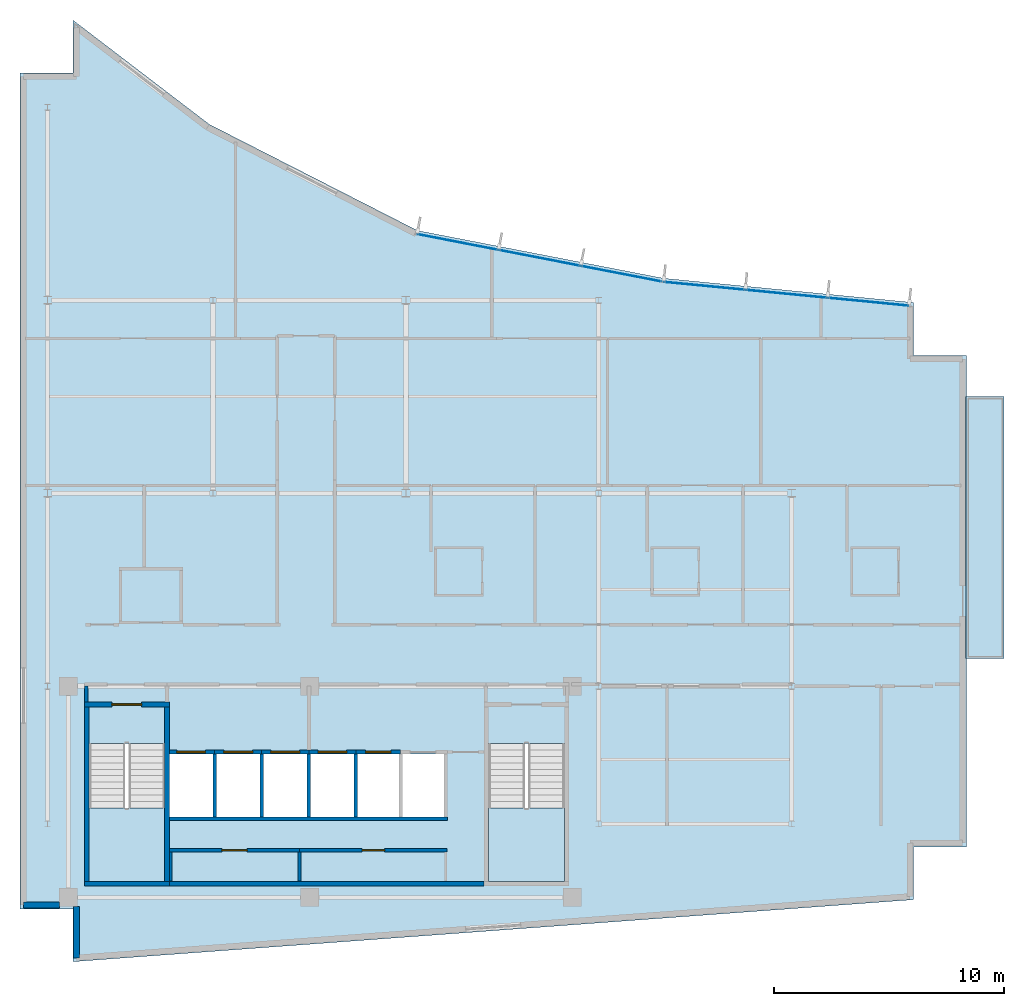
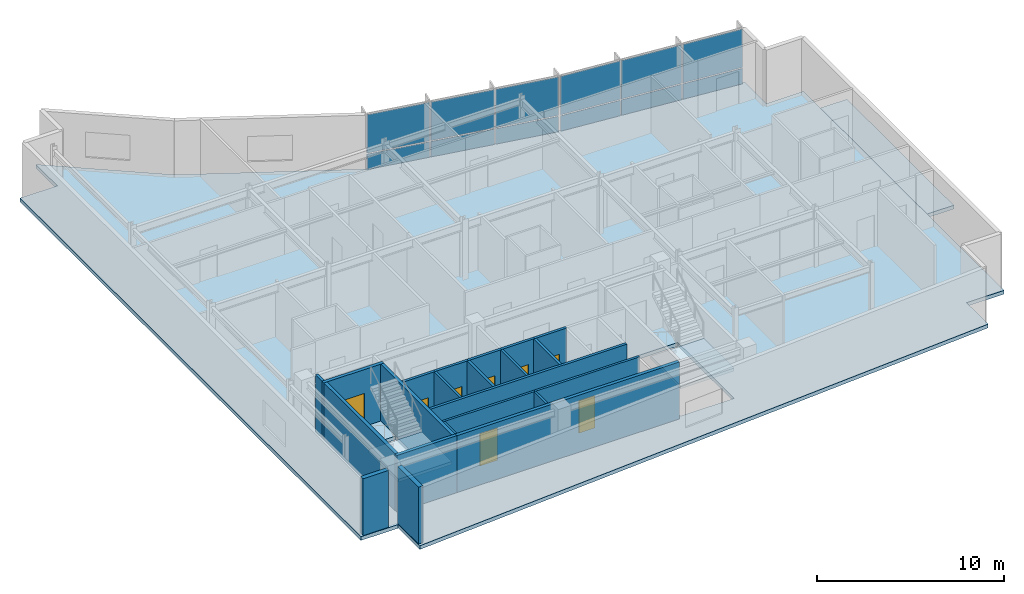
# One storey, part 9 of 15: 22 walls, 12 plates, 8 doors, 4 slabs, 8 openings, 4 elements without a shape of their own.
"""IFC4 building model written with IfcOpenShell, lengths in metres."""

from ifc_helpers import new_model, si_unit, direction, frame, frame_2d, origin, origin_2d, place, context, subcontext, project, spatial, polyline, rectangle, outline, extrude, material, layer, layer_set, type_object, element, fill, aggregate, save


model = new_model("IFC4")

# Units and contexts
model_context = context("Model", 3, precision=1e-05, world=origin(), true_north=direction((0.0, 1.0)))
body_context = subcontext(model_context, "Body", "Model", "MODEL_VIEW")
ifc_project = project(units=[si_unit("LENGTHUNIT", "METRE"), si_unit("AREAUNIT", "SQUARE_METRE"), si_unit("VOLUMEUNIT", "CUBIC_METRE"), si_unit("PLANEANGLEUNIT", "RADIAN"), si_unit("MASSUNIT", "GRAM", prefix="KILO")], contexts=[model_context])

# Site, building, storey
site_placement = place(None, origin())
site = spatial("IfcSite", under=ifc_project, at=site_placement, CompositionType="ELEMENT")
building_placement = place(site_placement, origin())
building = spatial("IfcBuilding", under=site, at=building_placement, Name="Varnakote Quay Hospital", CompositionType="ELEMENT")
storey_placement = place(building_placement, frame((0.0, 0.0, 276.300048828125)))
storey = spatial("IfcBuildingStorey", under=building, at=storey_placement, Name="L68", CompositionType="ELEMENT", Elevation=276.300048828125)

# Curtain wall, plates
ifc_material_1 = material(Name="Anodised aluminium 6063-T6 Bronze", Category="aluminium")
ifc_layer_1 = layer(ifc_material_1, 0.235107421875)
ifc_layer_set_1 = layer_set([ifc_layer_1], Name="Anodised aluminium 6063-T6 Bronze")
curtain_wall_type = type_object("IfcCurtainWallType", Name="CW-SYS-5", PredefinedType="NOTDEFINED", material=ifc_layer_set_1)
curtain_wall_1_placement = place(storey_placement, origin())
curtain_wall_1 = element("IfcCurtainWall", 1, at=curtain_wall_1_placement, inside=storey, type_object=curtain_wall_type, Name="L68 Unitised Bronze Curtain Wall 1", PredefinedType="NOTDEFINED")
ifc_material_2 = material(Name="Double-glazed low-E solar glass", Category="glass")
ifc_layer_2 = layer(ifc_material_2, 0.028076171875)
ifc_layer_set_2 = layer_set([ifc_layer_2], Name="Double-glazed low-E solar glass")
plate_type = type_object("IfcPlateType", Name="CW-PNL-GLZ-28", PredefinedType="CURTAIN_PANEL", material=ifc_layer_set_2)
plate_1_placement = place(storey_placement, frame((36.9326171875, 28.730224609375, 0.06494140625), z_axis=(0.0, 0.0, 1.0), x_axis=(-0.995326295192, 0.096568970683, 0.0)))
plate_1 = element("IfcPlate", 2, at=plate_1_placement, type_object=plate_type, Name="-5-L68-1 panel 1.1", PredefinedType="CURTAIN_PANEL", context=body_context, shape_type="SweptSolid", body=[
    extrude(rectangle(XDim=3.501708984375, YDim=0.028076171875, at=origin_2d()), origin(), (0.0, 0.0, 1.0), 1.00244140625),
])
plate_2_placement = place(storey_placement, frame((36.9326171875, 28.730224609375, 1.13232421875), z_axis=(0.0, 0.0, 1.0), x_axis=(-0.995326295192, 0.096568970683, 0.0)))
plate_2 = element("IfcPlate", 3, at=plate_2_placement, type_object=plate_type, Name="-5-L68-1 panel 1.2", PredefinedType="CURTAIN_PANEL", context=body_context, shape_type="SweptSolid", body=[
    extrude(rectangle(XDim=3.501708984375, YDim=0.028076171875, at=origin_2d()), origin(), (0.0, 0.0, 1.0), 2.512451171875),
])
plate_3_placement = place(storey_placement, frame((33.366455078125, 29.076171875, 0.06494140625), z_axis=(0.0, 0.0, 1.0), x_axis=(-0.995326295192, 0.096568970683, 0.0)))
plate_3 = element("IfcPlate", 4, at=plate_3_placement, type_object=plate_type, Name="-5-L68-1 panel 2.1", PredefinedType="CURTAIN_PANEL", context=body_context, shape_type="SweptSolid", body=[
    extrude(rectangle(XDim=3.5341796875, YDim=0.028076171875, at=origin_2d()), origin(), (0.0, 0.0, 1.0), 1.00244140625),
])
plate_4_placement = place(storey_placement, frame((33.366455078125, 29.076171875, 1.13232421875), z_axis=(0.0, 0.0, 1.0), x_axis=(-0.995326295192, 0.096568970683, 0.0)))
plate_4 = element("IfcPlate", 5, at=plate_4_placement, type_object=plate_type, Name="-5-L68-1 panel 2.2", PredefinedType="CURTAIN_PANEL", context=body_context, shape_type="SweptSolid", body=[
    extrude(rectangle(XDim=3.5341796875, YDim=0.028076171875, at=origin_2d()), origin(), (0.0, 0.0, 1.0), 2.512451171875),
])
plate_5_placement = place(storey_placement, frame((29.80029296875, 29.422119140625, 0.06494140625), z_axis=(0.0, 0.0, 1.0), x_axis=(-0.995326295192, 0.096568970683, 0.0)))
plate_5 = element("IfcPlate", 6, at=plate_5_placement, type_object=plate_type, Name="-5-L68-1 panel 3.1", PredefinedType="CURTAIN_PANEL", context=body_context, shape_type="SweptSolid", body=[
    extrude(rectangle(XDim=3.501708984375, YDim=0.028076171875, at=origin_2d()), origin(), (0.0, 0.0, 1.0), 1.00244140625),
])
plate_6_placement = place(storey_placement, frame((29.80029296875, 29.422119140625, 1.13232421875), z_axis=(0.0, 0.0, 1.0), x_axis=(-0.995326295192, 0.096568970683, 0.0)))
plate_6 = element("IfcPlate", 7, at=plate_6_placement, type_object=plate_type, Name="-5-L68-1 panel 3.2", PredefinedType="CURTAIN_PANEL", context=body_context, shape_type="SweptSolid", body=[
    extrude(rectangle(XDim=3.501708984375, YDim=0.028076171875, at=origin_2d()), origin(), (0.0, 0.0, 1.0), 2.512451171875),
])
aggregate(curtain_wall_1, [plate_1, plate_2, plate_3, plate_4, plate_5, plate_6])

curtain_wall_2_placement = place(storey_placement, origin())
curtain_wall_2 = element("IfcCurtainWall", 8, at=curtain_wall_2_placement, inside=storey, type_object=curtain_wall_type, Name="L68 Unitised Bronze Curtain Wall 2", PredefinedType="NOTDEFINED")
plate_7_placement = place(storey_placement, frame((26.186767578125, 29.947998046875, 0.06494140625), z_axis=(0.0, 0.0, 1.0), x_axis=(-0.981699958418, 0.190434218676, 0.0)))
plate_7 = element("IfcPlate", 9, at=plate_7_placement, type_object=plate_type, Name="-5-L68-2 panel 1.1", PredefinedType="CURTAIN_PANEL", context=body_context, shape_type="SweptSolid", body=[
    extrude(rectangle(XDim=3.5498046875, YDim=0.028076171875, at=origin_2d()), origin(), (0.0, 0.0, 1.0), 1.00244140625),
])
plate_8_placement = place(storey_placement, frame((26.186767578125, 29.947998046875, 1.13232421875), z_axis=(0.0, 0.0, 1.0), x_axis=(-0.981699958418, 0.190434218676, 0.0)))
plate_8 = element("IfcPlate", 10, at=plate_8_placement, type_object=plate_type, Name="-5-L68-2 panel 1.2", PredefinedType="CURTAIN_PANEL", context=body_context, shape_type="SweptSolid", body=[
    extrude(rectangle(XDim=3.5498046875, YDim=0.028076171875, at=origin_2d()), origin(), (0.0, 0.0, 1.0), 2.512451171875),
])
plate_9_placement = place(storey_placement, frame((22.622314453125, 30.639404296875, 0.06494140625), z_axis=(0.0, 0.0, 1.0), x_axis=(-0.981699958418, 0.190434218676, 0.0)))
plate_9 = element("IfcPlate", 11, at=plate_9_placement, type_object=plate_type, Name="-5-L68-2 panel 2.1", PredefinedType="CURTAIN_PANEL", context=body_context, shape_type="SweptSolid", body=[
    extrude(rectangle(XDim=3.582275390625, YDim=0.028076171875, at=origin_2d()), origin(), (0.0, 0.0, 1.0), 1.00244140625),
])
plate_10_placement = place(storey_placement, frame((22.622314453125, 30.639404296875, 1.13232421875), z_axis=(0.0, 0.0, 1.0), x_axis=(-0.981699958418, 0.190434218676, 0.0)))
plate_10 = element("IfcPlate", 12, at=plate_10_placement, type_object=plate_type, Name="-5-L68-2 panel 2.2", PredefinedType="CURTAIN_PANEL", context=body_context, shape_type="SweptSolid", body=[
    extrude(rectangle(XDim=3.582275390625, YDim=0.028076171875, at=origin_2d()), origin(), (0.0, 0.0, 1.0), 2.512451171875),
])
plate_11_placement = place(storey_placement, frame((19.0576171875, 31.330810546875, 0.06494140625), z_axis=(0.0, 0.0, 1.0), x_axis=(-0.981699958418, 0.190434218676, 0.0)))
plate_11 = element("IfcPlate", 13, at=plate_11_placement, type_object=plate_type, Name="-5-L68-2 panel 3.1", PredefinedType="CURTAIN_PANEL", context=body_context, shape_type="SweptSolid", body=[
    extrude(rectangle(XDim=3.5498046875, YDim=0.028076171875, at=origin_2d()), origin(), (0.0, 0.0, 1.0), 1.00244140625),
])
plate_12_placement = place(storey_placement, frame((19.0576171875, 31.330810546875, 1.13232421875), z_axis=(0.0, 0.0, 1.0), x_axis=(-0.981699958418, 0.190434218676, 0.0)))
plate_12 = element("IfcPlate", 14, at=plate_12_placement, type_object=plate_type, Name="-5-L68-2 panel 3.2", PredefinedType="CURTAIN_PANEL", context=body_context, shape_type="SweptSolid", body=[
    extrude(rectangle(XDim=3.5498046875, YDim=0.028076171875, at=origin_2d()), origin(), (0.0, 0.0, 1.0), 2.512451171875),
])
aggregate(curtain_wall_2, [plate_7, plate_8, plate_9, plate_10, plate_11, plate_12])

# Stair, slab
ifc_material_3 = material(Name="Concrete N40 (f'c 40 MPa)", Category="concrete")
stair_type = type_object("IfcStairType", Name="STR-CORE-1580", PredefinedType="HALF_TURN_STAIR", material=ifc_material_3)
stair_1_placement = place(storey_placement, origin())
stair_1 = element("IfcStair", 15, at=stair_1_placement, inside=storey, type_object=stair_type, Name="L68 Fire-Isolated Exit Stair ST-01", PredefinedType="HALF_TURN_STAIR")
ifc_material_4 = material(Name="Concrete N40 (f'c 40 MPa)", Category="concrete")
ifc_layer_3 = layer(ifc_material_4, 0.199951171875)
ifc_layer_set_3 = layer_set([ifc_layer_3], Name="Concrete N40 (f'c 40 MPa)")
slab_type_1 = type_object("IfcSlabType", Name="SLB-STAIR-LND-200", PredefinedType="LANDING", material=ifc_layer_set_3)
slab_1_placement = place(storey_placement, frame((0.0, 0.0, 1.77490234375)))
slab_1 = element("IfcSlab", 16, at=slab_1_placement, type_object=slab_type_1, Name="ST-01 landing 1", PredefinedType="LANDING", context=body_context, shape_type="SweptSolid", body=[
    extrude(outline(polyline([(3.0, 6.699951171875), (3.0, 3.5), (6.300048828125, 3.5), (6.300048828125, 6.699951171875), (3.0, 6.699951171875)])), origin(), (0.0, 0.0, 1.0), 0.199951171875),
])
aggregate(stair_1, [slab_1])

stair_2_placement = place(storey_placement, origin())
stair_2 = element("IfcStair", 17, at=stair_2_placement, inside=storey, type_object=stair_type, Name="L68 Fire-Isolated Exit Stair ST-02", PredefinedType="HALF_TURN_STAIR")
slab_2_placement = place(storey_placement, frame((0.0, 0.0, 1.77490234375)))
slab_2 = element("IfcSlab", 18, at=slab_2_placement, type_object=slab_type_1, Name="ST-02 landing 1", PredefinedType="LANDING", context=body_context, shape_type="SweptSolid", body=[
    extrude(outline(polyline([(20.39990234375, 6.699951171875), (20.39990234375, 3.5), (23.699951171875, 3.5), (23.699951171875, 6.699951171875), (20.39990234375, 6.699951171875)])), origin(), (0.0, 0.0, 1.0), 0.199951171875),
])
aggregate(stair_2, [slab_2])

# Slabs
ifc_material_5 = material(Name="Concrete N50 (f'c 50 MPa)", Category="concrete")
ifc_layer_4 = layer(ifc_material_5, 0.239990234375)
ifc_layer_set_4 = layer_set([ifc_layer_4], Name="Concrete N50 (f'c 50 MPa)")
slab_type_2 = type_object("IfcSlabType", Name="SLB-TERR-200", PredefinedType="FLOOR", material=ifc_layer_set_4)
slab_3_placement = place(storey_placement, frame((0.0, 0.0, -0.239990234375)))
element("IfcSlab", 19, at=slab_3_placement, inside=storey, type_object=slab_type_2, Name="L68 Waterfront Healing Terrace Slab", PredefinedType="FLOOR", context=body_context, shape_type="SweptSolid", body=[
    extrude(outline(polyline([(41.196044921875, 24.60009765625), (41.196044921875, 13.199951171875), (42.840087890625, 13.199951171875), (42.840087890625, 24.60009765625), (41.196044921875, 24.60009765625)])), origin(), (0.0, 0.0, 1.0), 0.239990234375),
])
ifc_material_6 = material(Name="Concrete N50 (f'c 50 MPa)", Category="concrete")
ifc_layer_5 = layer(ifc_material_6, 0.239990234375)
ifc_layer_set_5 = layer_set([ifc_layer_5], Name="Concrete N50 (f'c 50 MPa)")
slab_type_3 = type_object("IfcSlabType", Name="SLB-WARD-200", PredefinedType="FLOOR", material=ifc_layer_set_5)
slab_4_placement = place(storey_placement, frame((0.0, 0.0, -0.239990234375)))
element("IfcSlab", 20, at=slab_4_placement, inside=storey, type_object=slab_type_3, Name="L68 Primary Floor Slab", PredefinedType="FLOOR", context=body_context, shape_type="SweptSolid", body=[
    extrude(outline(polyline([(0.0, 2.300048828125), (2.300048828125, 2.300048828125), (2.300048828125, 0.0), (38.89990234375, 2.699951171875), (38.89990234375, 5.0), (41.199951171875, 5.0), (41.199951171875, 26.39990234375), (38.89990234375, 26.39990234375), (38.89990234375, 28.699951171875), (28.01611328125, 29.756103515625), (17.303955078125, 31.833984375), (8.239990234375, 36.4599609375), (2.300048828125, 41.0), (2.300048828125, 38.699951171875), (0.0, 38.699951171875), (0.0, 2.300048828125)]), holes=[polyline([(3.0, 3.5), (6.300048828125, 3.5), (6.300048828125, 9.49951171875), (3.0, 9.49951171875), (3.0, 3.5)]), polyline([(20.39990234375, 3.5), (23.699951171875, 3.5), (23.699951171875, 9.49951171875), (20.39990234375, 9.49951171875), (20.39990234375, 3.5)]), polyline([(6.5, 6.300048828125), (8.39990234375, 6.300048828125), (8.39990234375, 9.050048828125), (6.5, 9.050048828125), (6.5, 6.300048828125)]), polyline([(8.550048828125, 6.300048828125), (10.449951171875, 6.300048828125), (10.449951171875, 9.050048828125), (8.550048828125, 9.050048828125), (8.550048828125, 6.300048828125)]), polyline([(10.60009765625, 6.300048828125), (12.5, 6.300048828125), (12.5, 9.050048828125), (10.60009765625, 9.050048828125), (10.60009765625, 6.300048828125)]), polyline([(12.64990234375, 6.300048828125), (14.550048828125, 6.300048828125), (14.550048828125, 9.050048828125), (12.64990234375, 9.050048828125), (12.64990234375, 6.300048828125)]), polyline([(14.699951171875, 6.300048828125), (16.5, 6.300048828125), (16.5, 9.050048828125), (14.699951171875, 9.050048828125), (14.699951171875, 6.300048828125)]), polyline([(16.64990234375, 6.300048828125), (18.449951171875, 6.300048828125), (18.449951171875, 9.050048828125), (16.64990234375, 9.050048828125), (16.64990234375, 6.300048828125)])]), origin(), (0.0, 0.0, 1.0), 0.239990234375),
])

# Walls
ifc_material_7 = material(Name="Fire-rated acoustic gypsum stud wall", Category="gypsum")
ifc_layer_6 = layer(ifc_material_7, 0.159912109375)
ifc_layer_set_6 = layer_set([ifc_layer_6], Name="Fire-rated acoustic gypsum stud wall")
wall_type_1 = type_object("IfcWallType", Name="WL-COMP-160", PredefinedType="PARTITIONING", material=ifc_layer_set_6)
wall_1_placement = place(storey_placement, frame((2.8798828125, 11.300048828125, 0.0), z_axis=(0.0, 0.0, 1.0), x_axis=(0.0, 1.0, 0.0)))
element("IfcWall", 21, at=wall_1_placement, inside=storey, type_object=wall_type_1, Name="L68 West Stair Vestibule West Wall", PredefinedType="PARTITIONING", context=body_context, shape_type="SweptSolid", body=[
    extrude(rectangle(XDim=0.699951171875, YDim=0.159912109375, at=frame_2d((0.35009765625, 0.0))), origin(), (0.0, 0.0, 1.0), 3.7099609375),
])
ifc_material_8 = material(Name="Concrete N50 (f'c 50 MPa)", Category="concrete")
ifc_layer_7 = layer(ifc_material_8, 0.199951171875)
ifc_layer_set_7 = layer_set([ifc_layer_7], Name="Concrete N50 (f'c 50 MPa)")
wall_type_2 = type_object("IfcWallType", Name="WL-CORE-N50-200", PredefinedType="SHEAR", material=ifc_layer_set_7)
wall_2_placement = place(storey_placement, frame((6.5, 3.39990234375, 0.0), z_axis=(0.0, 0.0, 1.0), x_axis=(1.0, 0.0, 0.0)))
element("IfcWall", 22, at=wall_2_placement, inside=storey, type_object=wall_type_2, Name="L68 Rear Core South Shear Wall", PredefinedType="SHEAR", context=body_context, shape_type="SweptSolid", body=[
    extrude(rectangle(XDim=13.699951171875, YDim=0.199951171875, at=frame_2d((6.85009765625, 0.0))), origin(), (0.0, 0.0, 1.0), 3.7099609375),
])
ifc_material_9 = material(Name="Precast concrete N50 (f'c 50 MPa)", Category="concrete")
ifc_layer_8 = layer(ifc_material_9, 0.260009765625)
ifc_layer_set_8 = layer_set([ifc_layer_8], Name="Precast concrete N50 (f'c 50 MPa)")
wall_type_3 = type_object("IfcWallType", Name="WL-EXT-BRICK-260", PredefinedType="STANDARD", material=ifc_layer_set_8)
wall_3_placement = place(storey_placement, frame((2.4599609375, 2.4150390625, 0.0), z_axis=(0.0, 0.0, 1.0), x_axis=(0.0, -1.0, 0.0)))
element("IfcWall", 23, at=wall_3_placement, inside=storey, type_object=wall_type_3, Name="L68 Brick-Faced Precast Exterior Wall", PredefinedType="STANDARD", context=body_context, shape_type="SweptSolid", body=[
    extrude(rectangle(XDim=2.242919921875, YDim=0.260009765625, at=frame_2d((1.12158203125, 0.0))), origin(), (0.0, 0.0, 1.0), 3.7099609375),
])
wall_4_placement = place(storey_placement, frame((0.159912109375, 2.4599609375, 0.0), z_axis=(0.0, 0.0, 1.0), x_axis=(1.0, 0.0, 0.0)))
element("IfcWall", 24, at=wall_4_placement, inside=storey, type_object=wall_type_3, Name="L68 Brick-Faced Precast Exterior Wall", PredefinedType="STANDARD", context=body_context, shape_type="SweptSolid", body=[
    extrude(rectangle(XDim=1.55517578125, YDim=0.260009765625, at=frame_2d((0.777587890625, 0.0))), origin(), (0.0, 0.0, 1.0), 3.7099609375),
])
ifc_material_10 = material(Name="Concrete N50 (f'c 50 MPa)", Category="concrete")
ifc_layer_9 = layer(ifc_material_10, 0.14990234375)
ifc_layer_set_9 = layer_set([ifc_layer_9], Name="Concrete N50 (f'c 50 MPa)")
wall_type_4 = type_object("IfcWallType", Name="WL-SHAFT-N50-150", PredefinedType="SHEAR", material=ifc_layer_set_9)
for number, where, z_axis, x_axis, name in (
    (25, (8.47509765625, 6.300048828125, 0.0), (0.0, 0.0, 1.0), (0.0, 1.0, 0.0), "L68 LF-FF1 Hoistway Divider Wall"),
    (26, (10.52490234375, 6.300048828125, 0.0), (0.0, 0.0, 1.0), (0.0, 1.0, 0.0), "L68 LF-FF2 Hoistway Divider Wall"),
    (27, (12.574951171875, 6.300048828125, 0.0), (0.0, 0.0, 1.0), (0.0, 1.0, 0.0), "L68 LF-SV1 Hoistway Divider Wall"),
    (28, (14.625, 6.300048828125, 0.0), (0.0, 0.0, 1.0), (0.0, 1.0, 0.0), "L68 LF-SV2 Hoistway Divider Wall"),
):
    element("IfcWall", number, at=place(storey_placement, frame(where, z_axis=z_axis, x_axis=x_axis)), inside=storey, type_object=wall_type_4, Name=name, PredefinedType="SHEAR", context=body_context, shape_type="SweptSolid", body=[
        extrude(rectangle(XDim=2.75, YDim=0.14990234375, at=frame_2d((1.375, 0.0))), origin(), (0.0, 0.0, 1.0), 3.7099609375),
    ])
ifc_material_11 = material(Name="Concrete N50 (f'c 50 MPa)", Category="concrete")
ifc_layer_10 = layer(ifc_material_11, 0.159912109375)
ifc_layer_set_10 = layer_set([ifc_layer_10], Name="Concrete N50 (f'c 50 MPa)")
wall_type_5 = type_object("IfcWallType", Name="WL-SHAFT-N50-160", PredefinedType="SHEAR", material=ifc_layer_set_10)
wall_5_placement = place(storey_placement, frame((6.5, 6.219970703125, 0.0), z_axis=(0.0, 0.0, 1.0), x_axis=(1.0, 0.0, 0.0)))
element("IfcWall", 29, at=wall_5_placement, inside=storey, type_object=wall_type_5, Name="L68 REAR Lift Bank Back Shear Wall", PredefinedType="SHEAR", context=body_context, shape_type="SweptSolid", body=[
    extrude(rectangle(XDim=12.110107421875, YDim=0.159912109375, at=frame_2d((6.05517578125, 0.0))), origin(), (0.0, 0.0, 1.0), 3.7099609375),
])

# Wall, opening, door
wall_6_placement = place(storey_placement, frame((6.5, 9.1298828125, 0.0), z_axis=(0.0, 0.0, 1.0), x_axis=(1.0, 0.0, 0.0)))
wall_6 = element("IfcWall", 30, at=wall_6_placement, inside=storey, type_object=wall_type_5, Name="L68 LF-FF1 Hoistway Front Wall", PredefinedType="SHEAR", context=body_context, shape_type="SweptSolid", body=[
    extrude(rectangle(XDim=1.97509765625, YDim=0.159912109375, at=frame_2d((0.987548828125, 0.0))), origin(), (0.0, 0.0, 1.0), 3.7099609375),
])
opening_1_placement = place(wall_6_placement, frame((0.324951171875, 0.0, 0.0)))
opening_1 = element("IfcOpeningElement", 31, at=opening_1_placement, cuts=wall_6, Name="Opening LD-FF1-L68", PredefinedType="OPENING", context=body_context, shape_type="SweptSolid", body=[
    extrude(rectangle(XDim=1.25, YDim=2.14990234375, at=frame_2d((0.625, 1.074951171875))), frame((0.0, 0.08984375, 0.0), z_axis=(0.0, -1.0, 0.0), x_axis=(1.0, 0.0, 0.0)), (0.0, 0.0, 1.0), 0.179931640625),
])
ifc_material_12 = material(Name="Stainless steel lift landing sliding door", Category="steel")
door_type_1 = type_object("IfcDoorType", Name="DR-LIFT-LD-1250x2150", OperationType="NOTDEFINED", PredefinedType="DOOR", material=ifc_material_12)
door_1_placement = place(opening_1_placement, origin())
door_1 = element("IfcDoor", 32, at=door_1_placement, inside=storey, type_object=door_type_1, Name="L68 LF-FF1 Lift Landing Sliding Door", OperationType="SLIDING_TO_LEFT", OverallHeight=2.14990234375, OverallWidth=1.25, PredefinedType="DOOR", context=body_context, shape_type="SweptSolid", body=[
    extrude(rectangle(XDim=1.25, YDim=2.14990234375, at=frame_2d((0.625, 1.074951171875))), frame((0.0, 0.02490234375, 0.0), z_axis=(0.0, -1.0, 0.0), x_axis=(1.0, 0.0, 0.0)), (0.0, 0.0, 1.0), 0.050048828125),
])
fill(opening_1, door_1)

wall_7_placement = place(storey_placement, frame((8.47509765625, 9.1298828125, 0.0), z_axis=(0.0, 0.0, 1.0), x_axis=(1.0, 0.0, 0.0)))
wall_7 = element("IfcWall", 33, at=wall_7_placement, inside=storey, type_object=wall_type_5, Name="L68 LF-FF2 Hoistway Front Wall", PredefinedType="SHEAR", context=body_context, shape_type="SweptSolid", body=[
    extrude(rectangle(XDim=2.0498046875, YDim=0.159912109375, at=frame_2d((1.02490234375, 0.0))), origin(), (0.0, 0.0, 1.0), 3.7099609375),
])
opening_2_placement = place(wall_7_placement, frame((0.39990234375, 0.0, 0.0)))
opening_2 = element("IfcOpeningElement", 34, at=opening_2_placement, cuts=wall_7, Name="Opening LD-FF2-L68", PredefinedType="OPENING", context=body_context, shape_type="SweptSolid", body=[
    extrude(rectangle(XDim=1.25, YDim=2.14990234375, at=frame_2d((0.625, 1.074951171875))), frame((0.0, 0.08984375, 0.0), z_axis=(0.0, -1.0, 0.0), x_axis=(1.0, 0.0, 0.0)), (0.0, 0.0, 1.0), 0.179931640625),
])
door_2_placement = place(opening_2_placement, origin())
door_2 = element("IfcDoor", 35, at=door_2_placement, inside=storey, type_object=door_type_1, Name="L68 LF-FF2 Lift Landing Sliding Door", OperationType="SLIDING_TO_LEFT", OverallHeight=2.14990234375, OverallWidth=1.25, PredefinedType="DOOR", context=body_context, shape_type="SweptSolid", body=[
    extrude(rectangle(XDim=1.25, YDim=2.14990234375, at=frame_2d((0.625, 1.074951171875))), frame((0.0, 0.02490234375, 0.0), z_axis=(0.0, -1.0, 0.0), x_axis=(1.0, 0.0, 0.0)), (0.0, 0.0, 1.0), 0.050048828125),
])
fill(opening_2, door_2)

wall_8_placement = place(storey_placement, frame((10.52490234375, 9.1298828125, 0.0), z_axis=(0.0, 0.0, 1.0), x_axis=(1.0, 0.0, 0.0)))
wall_8 = element("IfcWall", 36, at=wall_8_placement, inside=storey, type_object=wall_type_5, Name="L68 LF-SV1 Hoistway Front Wall", PredefinedType="SHEAR", context=body_context, shape_type="SweptSolid", body=[
    extrude(rectangle(XDim=2.050048828125, YDim=0.159912109375, at=frame_2d((1.02490234375, 0.0))), origin(), (0.0, 0.0, 1.0), 3.7099609375),
])
opening_3_placement = place(wall_8_placement, frame((0.39990234375, 0.0, 0.0)))
opening_3 = element("IfcOpeningElement", 37, at=opening_3_placement, cuts=wall_8, Name="Opening LD-SV1-L68", PredefinedType="OPENING", context=body_context, shape_type="SweptSolid", body=[
    extrude(rectangle(XDim=1.25, YDim=2.14990234375, at=frame_2d((0.625, 1.074951171875))), frame((0.0, 0.08984375, 0.0), z_axis=(0.0, -1.0, 0.0), x_axis=(1.0, 0.0, 0.0)), (0.0, 0.0, 1.0), 0.179931640625),
])
door_3_placement = place(opening_3_placement, origin())
door_3 = element("IfcDoor", 38, at=door_3_placement, inside=storey, type_object=door_type_1, Name="L68 LF-SV1 Lift Landing Sliding Door", OperationType="SLIDING_TO_LEFT", OverallHeight=2.14990234375, OverallWidth=1.25, PredefinedType="DOOR", context=body_context, shape_type="SweptSolid", body=[
    extrude(rectangle(XDim=1.25, YDim=2.14990234375, at=frame_2d((0.625, 1.074951171875))), frame((0.0, 0.02490234375, 0.0), z_axis=(0.0, -1.0, 0.0), x_axis=(1.0, 0.0, 0.0)), (0.0, 0.0, 1.0), 0.050048828125),
])
fill(opening_3, door_3)

wall_9_placement = place(storey_placement, frame((12.574951171875, 9.1298828125, 0.0), z_axis=(0.0, 0.0, 1.0), x_axis=(1.0, 0.0, 0.0)))
wall_9 = element("IfcWall", 39, at=wall_9_placement, inside=storey, type_object=wall_type_5, Name="L68 LF-SV2 Hoistway Front Wall", PredefinedType="SHEAR", context=body_context, shape_type="SweptSolid", body=[
    extrude(rectangle(XDim=2.050048828125, YDim=0.159912109375, at=frame_2d((1.02490234375, 0.0))), origin(), (0.0, 0.0, 1.0), 3.7099609375),
])
opening_4_placement = place(wall_9_placement, frame((0.39990234375, 0.0, 0.0)))
opening_4 = element("IfcOpeningElement", 40, at=opening_4_placement, cuts=wall_9, Name="Opening LD-SV2-L68", PredefinedType="OPENING", context=body_context, shape_type="SweptSolid", body=[
    extrude(rectangle(XDim=1.25, YDim=2.14990234375, at=frame_2d((0.625, 1.074951171875))), frame((0.0, 0.08984375, 0.0), z_axis=(0.0, -1.0, 0.0), x_axis=(1.0, 0.0, 0.0)), (0.0, 0.0, 1.0), 0.179931640625),
])
door_4_placement = place(opening_4_placement, origin())
door_4 = element("IfcDoor", 41, at=door_4_placement, inside=storey, type_object=door_type_1, Name="L68 LF-SV2 Lift Landing Sliding Door", OperationType="SLIDING_TO_LEFT", OverallHeight=2.14990234375, OverallWidth=1.25, PredefinedType="DOOR", context=body_context, shape_type="SweptSolid", body=[
    extrude(rectangle(XDim=1.25, YDim=2.14990234375, at=frame_2d((0.625, 1.074951171875))), frame((0.0, 0.02490234375, 0.0), z_axis=(0.0, -1.0, 0.0), x_axis=(1.0, 0.0, 0.0)), (0.0, 0.0, 1.0), 0.050048828125),
])
fill(opening_4, door_4)

wall_10_placement = place(storey_placement, frame((14.625, 9.1298828125, 0.0), z_axis=(0.0, 0.0, 1.0), x_axis=(1.0, 0.0, 0.0)))
wall_10 = element("IfcWall", 42, at=wall_10_placement, inside=storey, type_object=wall_type_5, Name="L68 LF-PH1 Hoistway Front Wall", PredefinedType="SHEAR", context=body_context, shape_type="SweptSolid", body=[
    extrude(rectangle(XDim=1.949951171875, YDim=0.159912109375, at=frame_2d((0.97509765625, 0.0))), origin(), (0.0, 0.0, 1.0), 3.7099609375),
])
opening_5_placement = place(wall_10_placement, frame((0.425048828125, 0.0, 0.0)))
opening_5 = element("IfcOpeningElement", 43, at=opening_5_placement, cuts=wall_10, Name="Opening LD-PH1-L68", PredefinedType="OPENING", context=body_context, shape_type="SweptSolid", body=[
    extrude(rectangle(XDim=1.10009765625, YDim=2.14990234375, at=frame_2d((0.550048828125, 1.074951171875))), frame((0.0, 0.08984375, 0.0), z_axis=(0.0, -1.0, 0.0), x_axis=(1.0, 0.0, 0.0)), (0.0, 0.0, 1.0), 0.179931640625),
])
ifc_material_13 = material(Name="Brushed bronze lift landing sliding door")
door_type_2 = type_object("IfcDoorType", Name="DR-LIFT-LD-1100x2150", OperationType="NOTDEFINED", PredefinedType="DOOR", material=ifc_material_13)
door_5_placement = place(opening_5_placement, origin())
door_5 = element("IfcDoor", 44, at=door_5_placement, inside=storey, type_object=door_type_2, Name="L68 LF-PH1 Lift Landing Sliding Door", OperationType="SLIDING_TO_LEFT", OverallHeight=2.14990234375, OverallWidth=1.10009765625, PredefinedType="DOOR", context=body_context, shape_type="SweptSolid", body=[
    extrude(rectangle(XDim=1.10009765625, YDim=2.14990234375, at=frame_2d((0.550048828125, 1.074951171875))), frame((0.0, 0.02490234375, 0.0), z_axis=(0.0, -1.0, 0.0), x_axis=(1.0, 0.0, 0.0)), (0.0, 0.0, 1.0), 0.050048828125),
])
fill(opening_5, door_5)

# Walls
ifc_material_14 = material(Name="Concrete N50 (f'c 50 MPa)", Category="concrete")
ifc_layer_11 = layer(ifc_material_14, 0.199951171875)
ifc_layer_set_11 = layer_set([ifc_layer_11], Name="Concrete N50 (f'c 50 MPa)")
wall_type_6 = type_object("IfcWallType", Name="WL-SHAFT-N50-200", PredefinedType="SHEAR", material=ifc_layer_set_11)
wall_11_placement = place(storey_placement, frame((2.800048828125, 3.39990234375, 0.0), z_axis=(0.0, 0.0, 1.0), x_axis=(1.0, 0.0, 0.0)))
element("IfcWall", 45, at=wall_11_placement, inside=storey, type_object=wall_type_6, Name="L68 Stair ST1 South Shaft Wall", PredefinedType="SHEAR", context=body_context, shape_type="SweptSolid", body=[
    extrude(rectangle(XDim=3.699951171875, YDim=0.199951171875, at=frame_2d((1.85009765625, 0.0))), origin(), (0.0, 0.0, 1.0), 3.7099609375),
])
for number, where, z_axis, x_axis, name in (
    (46, (2.89990234375, 3.5, 0.0), (0.0, 0.0, 1.0), (0.0, 1.0, 0.0), "L68 Stair ST1 West Shaft Wall"),
    (47, (6.39990234375, 3.5, 0.0), (0.0, 0.0, 1.0), (0.0, 1.0, 0.0), "L68 Stair ST1 East Shaft Wall"),
):
    element("IfcWall", number, at=place(storey_placement, frame(where, z_axis=z_axis, x_axis=x_axis)), inside=storey, type_object=wall_type_6, Name=name, PredefinedType="SHEAR", context=body_context, shape_type="SweptSolid", body=[
        extrude(rectangle(XDim=7.60009765625, YDim=0.199951171875, at=frame_2d((3.800048828125, 0.0))), origin(), (0.0, 0.0, 1.0), 3.7099609375),
    ])

# Wall, opening, door
wall_12_placement = place(storey_placement, frame((2.800048828125, 11.199951171875, 0.0), z_axis=(0.0, 0.0, 1.0), x_axis=(1.0, 0.0, 0.0)))
wall_12 = element("IfcWall", 48, at=wall_12_placement, inside=storey, type_object=wall_type_6, Name="L68 Stair ST1 Exit Wall", PredefinedType="SHEAR", context=body_context, shape_type="SweptSolid", body=[
    extrude(rectangle(XDim=3.699951171875, YDim=0.199951171875, at=frame_2d((1.85009765625, 0.0))), origin(), (0.0, 0.0, 1.0), 3.7099609375),
])
opening_6_placement = place(wall_12_placement, frame((1.199951171875, 0.0, 0.0)))
opening_6 = element("IfcOpeningElement", 49, at=opening_6_placement, cuts=wall_12, Name="Opening D-ST1-L68", PredefinedType="OPENING", context=body_context, shape_type="SweptSolid", body=[
    extrude(rectangle(XDim=1.300048828125, YDim=2.14990234375, at=frame_2d((0.64990234375, 1.074951171875))), frame((0.0, 0.10986328125, 0.0), z_axis=(0.0, -1.0, 0.0), x_axis=(1.0, 0.0, 0.0)), (0.0, 0.0, 1.0), 0.219970703125),
])
ifc_material_15 = material(Name="Fire-rated ceramic-glazed timber exit door", Category="wood")
door_type_3 = type_object("IfcDoorType", Name="DR-STAIR-FD60S-1300x2150", OperationType="NOTDEFINED", PredefinedType="DOOR", material=ifc_material_15)
door_6_placement = place(opening_6_placement, origin())
door_6 = element("IfcDoor", 50, at=door_6_placement, inside=storey, type_object=door_type_3, Name="L68 Stair ST1 Fire Exit Door", OperationType="SINGLE_SWING_LEFT", OverallHeight=2.14990234375, OverallWidth=1.300048828125, PredefinedType="DOOR", context=body_context, shape_type="SweptSolid", body=[
    extrude(rectangle(XDim=1.300048828125, YDim=2.14990234375, at=frame_2d((0.64990234375, 1.074951171875))), frame((0.0, 0.02490234375, 0.0), z_axis=(0.0, -1.0, 0.0), x_axis=(1.0, 0.0, 0.0)), (0.0, 0.0, 1.0), 0.050048828125),
])
fill(opening_6, door_6)

# Walls
ifc_material_16 = material(Name="Smoke-proof clinical partition", Category="gypsum")
ifc_layer_12 = layer(ifc_material_16, 0.1201171875)
ifc_layer_set_12 = layer_set([ifc_layer_12], Name="Smoke-proof clinical partition")
wall_type_7 = type_object("IfcWallType", Name="WL-SMOKE-120", PredefinedType="PARTITIONING", material=ifc_layer_set_12)
for number, where, z_axis, x_axis, name in (
    (51, (6.56005859375, 3.52001953125, 0.0), (0.0, 0.0, 1.0), (0.0, 1.0, 0.0), "L68 Core South Service West Wall"),
    (52, (12.169921875, 3.52001953125, 0.0), (0.0, 0.0, 1.0), (0.0, 1.0, 0.0), "L68 Core South Service Divider"),
):
    element("IfcWall", number, at=place(storey_placement, frame(where, z_axis=z_axis, x_axis=x_axis)), inside=storey, type_object=wall_type_7, Name=name, PredefinedType="PARTITIONING", context=body_context, shape_type="SweptSolid", body=[
        extrude(rectangle(XDim=1.260009765625, YDim=0.1201171875, at=frame_2d((0.6298828125, 0.0))), origin(), (0.0, 0.0, 1.0), 3.7099609375),
    ])

# Wall, opening, door
ifc_material_17 = material(Name="Fire-rated clinical gypsum partition", Category="gypsum")
ifc_layer_13 = layer(ifc_material_17, 0.139892578125)
ifc_layer_set_13 = layer_set([ifc_layer_13], Name="Fire-rated clinical gypsum partition")
wall_type_8 = type_object("IfcWallType", Name="WL-WARD-140", PredefinedType="PARTITIONING", material=ifc_layer_set_13)
wall_13_placement = place(storey_placement, frame((6.5, 4.85009765625, 0.0), z_axis=(0.0, 0.0, 1.0), x_axis=(1.0, 0.0, 0.0)))
wall_13 = element("IfcWall", 53, at=wall_13_placement, inside=storey, type_object=wall_type_8, Name="L68 Core Clean Linen Store North Wall", PredefinedType="PARTITIONING", context=body_context, shape_type="SweptSolid", body=[
    extrude(rectangle(XDim=5.669921875, YDim=0.139892578125, at=frame_2d((2.8349609375, 0.0))), origin(), (0.0, 0.0, 1.0), 3.7099609375),
])
opening_7_placement = place(wall_13_placement, frame((2.284912109375, 0.0, 0.0)))
opening_7 = element("IfcOpeningElement", 54, at=opening_7_placement, cuts=wall_13, Name="Opening D-L68-CR01", PredefinedType="OPENING", context=body_context, shape_type="SweptSolid", body=[
    extrude(rectangle(XDim=1.10009765625, YDim=2.10009765625, at=frame_2d((0.550048828125, 1.050048828125))), frame((0.0, 0.079833984375, 0.0), z_axis=(0.0, -1.0, 0.0), x_axis=(1.0, 0.0, 0.0)), (0.0, 0.0, 1.0), 0.159912109375),
])
ifc_material_18 = material(Name="Acoustic timber clinical consult door", Category="wood")
door_type_4 = type_object("IfcDoorType", Name="DR-CLIN-FD30S-1100x2100", OperationType="NOTDEFINED", PredefinedType="DOOR", material=ifc_material_18)
door_7_placement = place(opening_7_placement, origin())
door_7 = element("IfcDoor", 55, at=door_7_placement, inside=storey, type_object=door_type_4, Name="L68 Core Clean Linen Store Door", OperationType="SINGLE_SWING_LEFT", OverallHeight=2.10009765625, OverallWidth=1.10009765625, PredefinedType="DOOR", context=body_context, shape_type="SweptSolid", body=[
    extrude(rectangle(XDim=1.10009765625, YDim=2.10009765625, at=frame_2d((0.550048828125, 1.050048828125))), frame((0.0, 0.02490234375, 0.0), z_axis=(0.0, -1.0, 0.0), x_axis=(1.0, 0.0, 0.0)), (0.0, 0.0, 1.0), 0.050048828125),
])
fill(opening_7, door_7)

wall_14_placement = place(storey_placement, frame((12.169921875, 4.85009765625, 0.0), z_axis=(0.0, 0.0, 1.0), x_axis=(1.0, 0.0, 0.0)))
wall_14 = element("IfcWall", 56, at=wall_14_placement, inside=storey, type_object=wall_type_8, Name="L68 Core Staff Sanitary WC North Wall", PredefinedType="PARTITIONING", context=body_context, shape_type="SweptSolid", body=[
    extrude(rectangle(XDim=6.43017578125, YDim=0.139892578125, at=frame_2d((3.215087890625, 0.0))), origin(), (0.0, 0.0, 1.0), 3.7099609375),
])
opening_8_placement = place(wall_14_placement, frame((2.72509765625, 0.0, 0.0)))
opening_8 = element("IfcOpeningElement", 57, at=opening_8_placement, cuts=wall_14, Name="Opening D-L68-CR02", PredefinedType="OPENING", context=body_context, shape_type="SweptSolid", body=[
    extrude(rectangle(XDim=0.97998046875, YDim=2.10009765625, at=frame_2d((0.489990234375, 1.050048828125))), frame((0.0, 0.079833984375, 0.0), z_axis=(0.0, -1.0, 0.0), x_axis=(1.0, 0.0, 0.0)), (0.0, 0.0, 1.0), 0.159912109375),
])
ifc_material_19 = material(Name="Accessible sanitary compartment door")
door_type_5 = type_object("IfcDoorType", Name="DR-WC-980x2100", OperationType="NOTDEFINED", PredefinedType="DOOR", material=ifc_material_19)
door_8_placement = place(opening_8_placement, origin())
door_8 = element("IfcDoor", 58, at=door_8_placement, inside=storey, type_object=door_type_5, Name="L68 Core Staff Sanitary WC Door", OperationType="SINGLE_SWING_RIGHT", OverallHeight=2.10009765625, OverallWidth=0.97998046875, PredefinedType="DOOR", context=body_context, shape_type="SweptSolid", body=[
    extrude(rectangle(XDim=0.97998046875, YDim=2.10009765625, at=frame_2d((0.489990234375, 1.050048828125))), frame((0.0, 0.02490234375, 0.0), z_axis=(0.0, -1.0, 0.0), x_axis=(1.0, 0.0, 0.0)), (0.0, 0.0, 1.0), 0.050048828125),
])
fill(opening_8, door_8)

save(model, "model.ifc")
